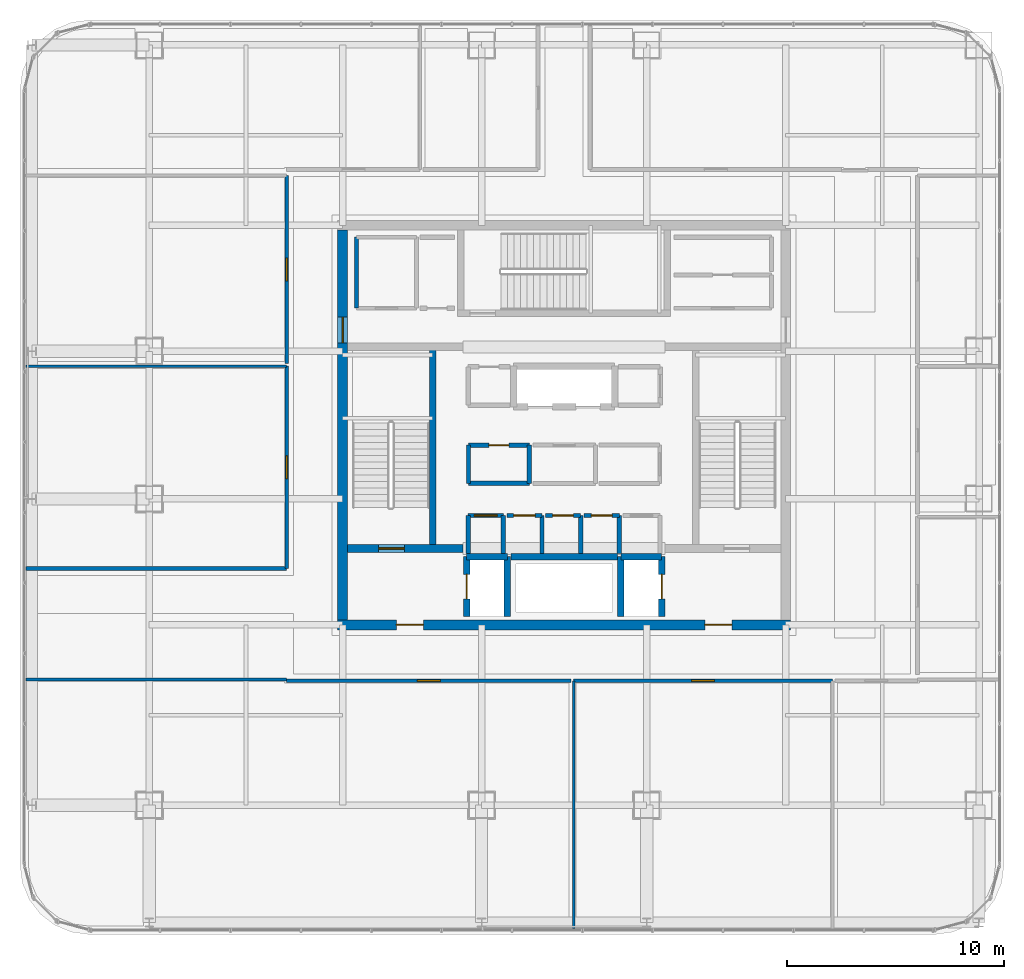
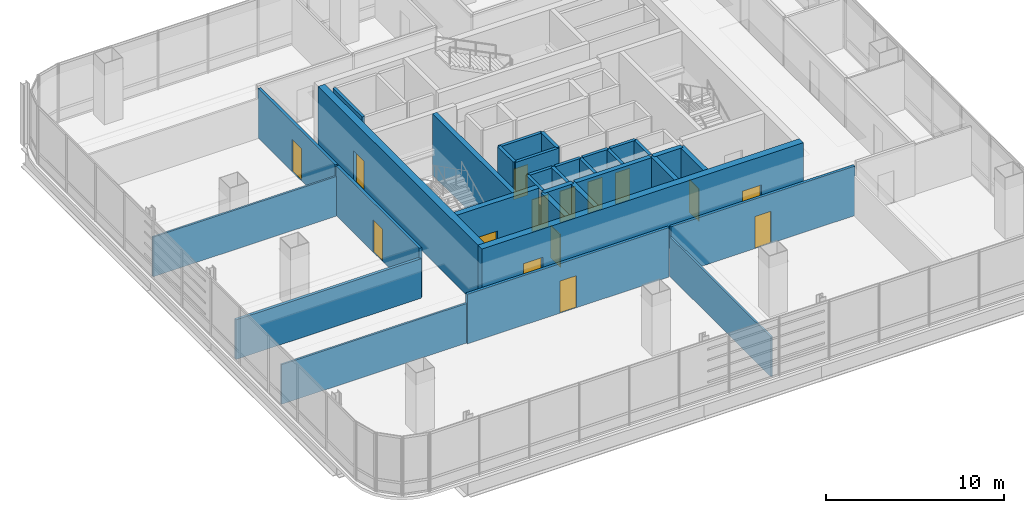
# One storey, part 35 of 43: 33 walls, 15 doors, 15 openings.
"""IFC4 building model written with IfcOpenShell, lengths in metres."""

from ifc_helpers import new_model, si_unit, direction, frame, frame_2d, origin, place, context, subcontext, project, spatial, rectangle, extrude, material, layer, layer_set, type_object, element, fill, save


model = new_model("IFC4")

# Units and contexts
model_context = context("Model", 3, precision=1e-05, world=origin(), true_north=direction((0.0, 1.0)))
body_context = subcontext(model_context, "Body", "Model", "MODEL_VIEW")
ifc_project = project(units=[si_unit("LENGTHUNIT", "METRE"), si_unit("AREAUNIT", "SQUARE_METRE"), si_unit("VOLUMEUNIT", "CUBIC_METRE"), si_unit("PLANEANGLEUNIT", "RADIAN"), si_unit("MASSUNIT", "GRAM", prefix="KILO")], contexts=[model_context])

# Site, building, storey
site_placement = place(None, origin())
site = spatial("IfcSite", under=ifc_project, at=site_placement, CompositionType="ELEMENT")
building_placement = place(site_placement, origin())
building = spatial("IfcBuilding", under=site, at=building_placement, Name="Punatoya Terracotta Tower", CompositionType="ELEMENT")
storey_placement = place(building_placement, frame((0.0, 0.0, 321.60009765625)))
storey = spatial("IfcBuildingStorey", under=building, at=storey_placement, Name="L76", CompositionType="ELEMENT", Elevation=321.60009765625)

# Wall, openings, doors
ifc_material_1 = material(Name="Concrete C50/60", Category="concrete")
ifc_layer_1 = layer(ifc_material_1, 0.449951171875)
ifc_layer_set_1 = layer_set([ifc_layer_1], Name="Concrete C50/60")
wall_type_1 = type_object("IfcWallType", Name="WL-COR-450", PredefinedType="SHEAR", material=ifc_layer_set_1)
wall_1_placement = place(storey_placement, frame((10.425048828125, -9.199951171875, 0.0), z_axis=(0.0, 0.0, 1.0), x_axis=(-1.0, 0.0, 0.0)))
wall_1 = element("IfcWall", 1, at=wall_1_placement, inside=storey, type_object=wall_type_1, Name="L76 Core Shear Wall S", PredefinedType="SHEAR", context=body_context, shape_type="SweptSolid", body=[
    extrude(rectangle(XDim=20.85009765625, YDim=0.449951171875, at=frame_2d((10.425048828125, 0.0))), origin(), (0.0, 0.0, 1.0), 4.199951171875),
])
opening_1_placement = place(wall_1_placement, frame((2.699951171875, 0.0, 0.0)))
opening_1 = element("IfcOpeningElement", 2, at=opening_1_placement, cuts=wall_1, Name="Opening FD-L1", PredefinedType="OPENING", context=body_context, shape_type="SweptSolid", body=[
    extrude(rectangle(XDim=1.25, YDim=2.25, at=frame_2d((0.625, 1.125))), frame((0.0, 0.23486328125, 0.0), z_axis=(0.0, -1.0, 0.0), x_axis=(1.0, 0.0, 0.0)), (0.0, 0.0, 1.0), 0.469970703125),
])
opening_2_placement = place(wall_1_placement, frame((16.89990234375, 0.0, 0.0)))
opening_2 = element("IfcOpeningElement", 3, at=opening_2_placement, cuts=wall_1, Name="Opening FD-L1", PredefinedType="OPENING", context=body_context, shape_type="SweptSolid", body=[
    extrude(rectangle(XDim=1.25, YDim=2.25, at=frame_2d((0.625, 1.125))), frame((0.0, 0.23486328125, 0.0), z_axis=(0.0, -1.0, 0.0), x_axis=(1.0, 0.0, 0.0)), (0.0, 0.0, 1.0), 0.469970703125),
])
ifc_material_2 = material(Name="Galvanised Steel Smokeproof Fire Door", Category="steel")
door_type_1 = type_object("IfcDoorType", Name="DR-FFL-1250", OperationType="NOTDEFINED", PredefinedType="DOOR", material=ifc_material_2)
door_1_placement = place(opening_1_placement, origin())
door_1 = element("IfcDoor", 4, at=door_1_placement, inside=storey, type_object=door_type_1, Name="L76 East Firefighting Lobby Corridor Fire Door", OperationType="SINGLE_SWING_LEFT", OverallHeight=2.25, OverallWidth=1.25, PredefinedType="DOOR", context=body_context, shape_type="SweptSolid", body=[
    extrude(rectangle(XDim=1.25, YDim=2.25, at=frame_2d((0.625, 1.125))), frame((0.0, 0.02490234375, 0.0), z_axis=(0.0, -1.0, 0.0), x_axis=(1.0, 0.0, 0.0)), (0.0, 0.0, 1.0), 0.050048828125),
])
fill(opening_1, door_1)
door_2_placement = place(opening_2_placement, origin())
door_2 = element("IfcDoor", 5, at=door_2_placement, inside=storey, type_object=door_type_1, Name="L76 West Firefighting Lobby Corridor Fire Door", OperationType="SINGLE_SWING_RIGHT", OverallHeight=2.25, OverallWidth=1.25, PredefinedType="DOOR", context=body_context, shape_type="SweptSolid", body=[
    extrude(rectangle(XDim=1.25, YDim=2.25, at=frame_2d((0.625, 1.125))), frame((0.0, 0.02490234375, 0.0), z_axis=(0.0, -1.0, 0.0), x_axis=(1.0, 0.0, 0.0)), (0.0, 0.0, 1.0), 0.050048828125),
])
fill(opening_2, door_2)

# Wall, opening, door
wall_2_placement = place(storey_placement, frame((-10.199951171875, -8.97509765625, 0.0), z_axis=(0.0, 0.0, 1.0), x_axis=(0.0, 1.0, 0.0)))
wall_2 = element("IfcWall", 6, at=wall_2_placement, inside=storey, type_object=wall_type_1, Name="L76 Core Shear Wall W", PredefinedType="SHEAR", context=body_context, shape_type="SweptSolid", body=[
    extrude(rectangle(XDim=17.9501953125, YDim=0.449951171875, at=frame_2d((8.97509765625, 0.0))), origin(), (0.0, 0.0, 1.0), 4.199951171875),
])
opening_3_placement = place(wall_2_placement, frame((12.764892578125, 0.0, 0.0)))
opening_3 = element("IfcOpeningElement", 7, at=opening_3_placement, cuts=wall_2, Name="Opening SD-01", PredefinedType="OPENING", context=body_context, shape_type="SweptSolid", body=[
    extrude(rectangle(XDim=1.179931640625, YDim=2.199951171875, at=frame_2d((0.58984375, 1.10009765625))), frame((0.0, 0.23486328125, 0.0), z_axis=(0.0, -1.0, 0.0), x_axis=(1.0, 0.0, 0.0)), (0.0, 0.0, 1.0), 0.469970703125),
])
ifc_material_3 = material(Name="Galvanised Steel Pressurized Stair Fire Door", Category="steel")
door_type_2 = type_object("IfcDoorType", Name="DR-STR-1180", OperationType="NOTDEFINED", PredefinedType="DOOR", material=ifc_material_3)
door_3_placement = place(opening_3_placement, origin())
door_3 = element("IfcDoor", 8, at=door_3_placement, inside=storey, type_object=door_type_2, Name="L76 Central Lift Lobby West Fire Door", OperationType="SINGLE_SWING_LEFT", OverallHeight=2.199951171875, OverallWidth=1.179931640625, PredefinedType="DOOR", context=body_context, shape_type="SweptSolid", body=[
    extrude(rectangle(XDim=1.179931640625, YDim=2.199951171875, at=frame_2d((0.58984375, 1.10009765625))), frame((0.0, 0.02490234375, 0.0), z_axis=(0.0, -1.0, 0.0), x_axis=(1.0, 0.0, 0.0)), (0.0, 0.0, 1.0), 0.050048828125),
])
fill(opening_3, door_3)

# Wall
ifc_material_4 = material(Name="Gypsum Fireboard + Steel Stud", Category="steel")
ifc_layer_2 = layer(ifc_material_4, 0.179931640625)
ifc_layer_set_2 = layer_set([ifc_layer_2], Name="Gypsum Fireboard + Steel Stud")
wall_type_2 = type_object("IfcWallType", Name="WL-CORR-180", PredefinedType="PARTITIONING", material=ifc_layer_set_2)
wall_3_placement = place(storey_placement, frame((-9.550048828125, 8.64990234375, 0.0), z_axis=(0.0, 0.0, 1.0), x_axis=(0.0, -1.0, 0.0)))
element("IfcWall", 9, at=wall_3_placement, inside=storey, type_object=wall_type_2, Name="L76 West Core Briefing Pod Partition 30", PredefinedType="PARTITIONING", context=body_context, shape_type="SweptSolid", body=[
    extrude(rectangle(XDim=3.27001953125, YDim=0.179931640625, at=frame_2d((1.635009765625, 0.0))), origin(), (0.0, 0.0, 1.0), 4.0),
])

# Wall, opening, door
wall_4_placement = place(storey_placement, frame((0.43798828125, -11.77001953125, 0.0), z_axis=(0.0, 0.0, 1.0), x_axis=(1.0, 0.0, 0.0)))
wall_4 = element("IfcWall", 10, at=wall_4_placement, inside=storey, type_object=wall_type_2, Name="L76 Open Workplace Studio Partition 41", PredefinedType="PARTITIONING", context=body_context, shape_type="SweptSolid", body=[
    extrude(rectangle(XDim=11.91796875, YDim=0.179931640625, at=frame_2d((5.958984375, 0.0))), origin(), (0.0, 0.0, 1.0), 3.393798828125),
])
opening_4_placement = place(wall_4_placement, frame((5.43408203125, 0.0, 0.0)))
opening_4 = element("IfcOpeningElement", 11, at=opening_4_placement, cuts=wall_4, Name="Opening OD-01", PredefinedType="OPENING", context=body_context, shape_type="SweptSolid", body=[
    extrude(rectangle(XDim=1.050048828125, YDim=2.199951171875, at=frame_2d((0.52490234375, 1.10009765625))), frame((0.0, 0.099853515625, 0.0), z_axis=(0.0, -1.0, 0.0), x_axis=(1.0, 0.0, 0.0)), (0.0, 0.0, 1.0), 0.199951171875),
])
ifc_material_5 = material(Name="Bengal Teak Solid-Core Leaf")
door_type_3 = type_object("IfcDoorType", Name="DR-OFF-1050", OperationType="NOTDEFINED", PredefinedType="DOOR", material=ifc_material_5)
door_4_placement = place(opening_4_placement, origin())
door_4 = element("IfcDoor", 12, at=door_4_placement, inside=storey, type_object=door_type_3, Name="L76 Open Workplace Studio Door", OperationType="SINGLE_SWING_RIGHT", OverallHeight=2.199951171875, OverallWidth=1.050048828125, PredefinedType="DOOR", context=body_context, shape_type="SweptSolid", body=[
    extrude(rectangle(XDim=1.050048828125, YDim=2.199951171875, at=frame_2d((0.52490234375, 1.10009765625))), frame((0.0, 0.02490234375, 0.0), z_axis=(0.0, -1.0, 0.0), x_axis=(1.0, 0.0, 0.0)), (0.0, 0.0, 1.0), 0.050048828125),
])
fill(opening_4, door_4)

wall_5_placement = place(storey_placement, frame((-12.77001953125, -11.77001953125, 0.0), z_axis=(0.0, 0.0, 1.0), x_axis=(1.0, 0.0, 0.0)))
wall_5 = element("IfcWall", 13, at=wall_5_placement, inside=storey, type_object=wall_type_2, Name="L76 Analytical Practice Office Partition 43", PredefinedType="PARTITIONING", context=body_context, shape_type="SweptSolid", body=[
    extrude(rectangle(XDim=13.088134765625, YDim=0.179931640625, at=frame_2d((6.5439453125, 0.0))), origin(), (0.0, 0.0, 1.0), 3.393798828125),
])
opening_5_placement = place(wall_5_placement, frame((6.01904296875, 0.0, 0.0)))
opening_5 = element("IfcOpeningElement", 14, at=opening_5_placement, cuts=wall_5, Name="Opening OD-01", PredefinedType="OPENING", context=body_context, shape_type="SweptSolid", body=[
    extrude(rectangle(XDim=1.050048828125, YDim=2.199951171875, at=frame_2d((0.52490234375, 1.10009765625))), frame((0.0, 0.099853515625, 0.0), z_axis=(0.0, -1.0, 0.0), x_axis=(1.0, 0.0, 0.0)), (0.0, 0.0, 1.0), 0.199951171875),
])
door_5_placement = place(opening_5_placement, origin())
door_5 = element("IfcDoor", 15, at=door_5_placement, inside=storey, type_object=door_type_3, Name="L76 Analytical Practice Office Door", OperationType="SINGLE_SWING_LEFT", OverallHeight=2.199951171875, OverallWidth=1.050048828125, PredefinedType="DOOR", context=body_context, shape_type="SweptSolid", body=[
    extrude(rectangle(XDim=1.050048828125, YDim=2.199951171875, at=frame_2d((0.52490234375, 1.10009765625))), frame((0.0, 0.02490234375, 0.0), z_axis=(0.0, -1.0, 0.0), x_axis=(1.0, 0.0, 0.0)), (0.0, 0.0, 1.0), 0.050048828125),
])
fill(opening_5, door_5)

wall_6_placement = place(storey_placement, frame((-12.77001953125, 2.7119140625, 0.0), z_axis=(0.0, 0.0, 1.0), x_axis=(0.0, -1.0, 0.0)))
wall_6 = element("IfcWall", 16, at=wall_6_placement, inside=storey, type_object=wall_type_2, Name="L76 Open-Plan Digital Reference Library Partition 49", PredefinedType="PARTITIONING", context=body_context, shape_type="SweptSolid", body=[
    extrude(rectangle(XDim=9.31201171875, YDim=0.179931640625, at=frame_2d((4.656005859375, 0.0))), origin(), (0.0, 0.0, 1.0), 3.393798828125),
])
opening_6_placement = place(wall_6_placement, frame((4.131103515625, 0.0, 0.0)))
opening_6 = element("IfcOpeningElement", 17, at=opening_6_placement, cuts=wall_6, Name="Opening OD-01", PredefinedType="OPENING", context=body_context, shape_type="SweptSolid", body=[
    extrude(rectangle(XDim=1.050048828125, YDim=2.199951171875, at=frame_2d((0.52490234375, 1.10009765625))), frame((0.0, 0.099853515625, 0.0), z_axis=(0.0, -1.0, 0.0), x_axis=(1.0, 0.0, 0.0)), (0.0, 0.0, 1.0), 0.199951171875),
])
door_6_placement = place(opening_6_placement, origin())
door_6 = element("IfcDoor", 18, at=door_6_placement, inside=storey, type_object=door_type_3, Name="L76 Open-Plan Digital Reference Library Door", OperationType="SINGLE_SWING_RIGHT", OverallHeight=2.199951171875, OverallWidth=1.050048828125, PredefinedType="DOOR", context=body_context, shape_type="SweptSolid", body=[
    extrude(rectangle(XDim=1.050048828125, YDim=2.199951171875, at=frame_2d((0.52490234375, 1.10009765625))), frame((0.0, 0.02490234375, 0.0), z_axis=(0.0, -1.0, 0.0), x_axis=(1.0, 0.0, 0.0)), (0.0, 0.0, 1.0), 0.050048828125),
])
fill(opening_6, door_6)

# Wall
wall_7_placement = place(storey_placement, frame((-12.77001953125, -6.60009765625, 0.0), z_axis=(0.0, 0.0, 1.0), x_axis=(-1.0, 0.0, 0.0)))
element("IfcWall", 19, at=wall_7_placement, inside=storey, type_object=wall_type_2, Name="L76 Open-Plan Digital Reference Library Partition 50", PredefinedType="PARTITIONING", context=body_context, shape_type="SweptSolid", body=[
    extrude(rectangle(XDim=12.0, YDim=0.179931640625, at=frame_2d((6.0, 0.0))), origin(), (0.0, 0.0, 1.0), 2.7138671875),
])

# Wall, opening, door
wall_8_placement = place(storey_placement, frame((-12.77001953125, 11.489990234375, 0.0), z_axis=(0.0, 0.0, 1.0), x_axis=(0.0, -1.0, 0.0)))
wall_8 = element("IfcWall", 20, at=wall_8_placement, inside=storey, type_object=wall_type_2, Name="L76 Open-Plan Wellness Quiet Room Partition 54", PredefinedType="PARTITIONING", context=body_context, shape_type="SweptSolid", body=[
    extrude(rectangle(XDim=8.657958984375, YDim=0.179931640625, at=frame_2d((4.3291015625, 0.0))), origin(), (0.0, 0.0, 1.0), 3.393798828125),
])
opening_7_placement = place(wall_8_placement, frame((3.803955078125, 0.0, 0.0)))
opening_7 = element("IfcOpeningElement", 21, at=opening_7_placement, cuts=wall_8, Name="Opening OD-01", PredefinedType="OPENING", context=body_context, shape_type="SweptSolid", body=[
    extrude(rectangle(XDim=1.050048828125, YDim=2.199951171875, at=frame_2d((0.52490234375, 1.10009765625))), frame((0.0, 0.099853515625, 0.0), z_axis=(0.0, -1.0, 0.0), x_axis=(1.0, 0.0, 0.0)), (0.0, 0.0, 1.0), 0.199951171875),
])
door_7_placement = place(opening_7_placement, origin())
door_7 = element("IfcDoor", 22, at=door_7_placement, inside=storey, type_object=door_type_3, Name="L76 Open-Plan Wellness Quiet Room Door", OperationType="SINGLE_SWING_RIGHT", OverallHeight=2.199951171875, OverallWidth=1.050048828125, PredefinedType="DOOR", context=body_context, shape_type="SweptSolid", body=[
    extrude(rectangle(XDim=1.050048828125, YDim=2.199951171875, at=frame_2d((0.52490234375, 1.10009765625))), frame((0.0, 0.02490234375, 0.0), z_axis=(0.0, -1.0, 0.0), x_axis=(1.0, 0.0, 0.0)), (0.0, 0.0, 1.0), 0.050048828125),
])
fill(opening_7, door_7)

# Wall
ifc_material_6 = material(Name="Concrete C40/50", Category="concrete")
ifc_layer_3 = layer(ifc_material_6, 0.199951171875)
ifc_layer_set_3 = layer_set([ifc_layer_3], Name="Concrete C40/50")
wall_type_3 = type_object("IfcWallType", Name="WL-INT-200", PredefinedType="SOLIDWALL", material=ifc_layer_set_3)
wall_9_placement = place(storey_placement, frame((-2.800048828125, -5.89990234375, 0.0), z_axis=(0.0, 0.0, 1.0), x_axis=(0.0, 1.0, 0.0)))
element("IfcWall", 23, at=wall_9_placement, inside=storey, type_object=wall_type_3, Name="L76 Core Tea Pantry Partition 01", PredefinedType="SOLIDWALL", context=body_context, shape_type="SweptSolid", body=[
    extrude(rectangle(XDim=1.739990234375, YDim=0.199951171875, at=frame_2d((0.8701171875, 0.0))), origin(), (0.0, 0.0, 1.0), 4.0),
])

# Wall, opening, door
wall_10_placement = place(storey_placement, frame((-2.800048828125, -4.159912109375, 0.0), z_axis=(0.0, 0.0, 1.0), x_axis=(-1.0, 0.0, 0.0)))
wall_10 = element("IfcWall", 24, at=wall_10_placement, inside=storey, type_object=wall_type_3, Name="L76 Core Tea Pantry Partition 02", PredefinedType="SOLIDWALL", context=body_context, shape_type="SweptSolid", body=[
    extrude(rectangle(XDim=1.619873046875, YDim=0.199951171875, at=frame_2d((0.81005859375, 0.0))), origin(), (0.0, 0.0, 1.0), 4.0),
])
opening_8_placement = place(wall_10_placement, frame((0.284912109375, 0.0, 0.0)))
opening_8 = element("IfcOpeningElement", 25, at=opening_8_placement, cuts=wall_10, Name="Opening OD-01", PredefinedType="OPENING", context=body_context, shape_type="SweptSolid", body=[
    extrude(rectangle(XDim=1.050048828125, YDim=2.199951171875, at=frame_2d((0.52490234375, 1.10009765625))), frame((0.0, 0.10986328125, 0.0), z_axis=(0.0, -1.0, 0.0), x_axis=(1.0, 0.0, 0.0)), (0.0, 0.0, 1.0), 0.219970703125),
])
door_8_placement = place(opening_8_placement, origin())
door_8 = element("IfcDoor", 26, at=door_8_placement, inside=storey, type_object=door_type_3, Name="L76 Tea Pantry Door", OperationType="SINGLE_SWING_RIGHT", OverallHeight=2.199951171875, OverallWidth=1.050048828125, PredefinedType="DOOR", context=body_context, shape_type="SweptSolid", body=[
    extrude(rectangle(XDim=1.050048828125, YDim=2.199951171875, at=frame_2d((0.52490234375, 1.10009765625))), frame((0.0, 0.02490234375, 0.0), z_axis=(0.0, -1.0, 0.0), x_axis=(1.0, 0.0, 0.0)), (0.0, 0.0, 1.0), 0.050048828125),
])
fill(opening_8, door_8)

# Walls
for number, where, z_axis, x_axis, name in (
    (27, (-4.419921875, -4.159912109375, 0.0), (0.0, 0.0, 1.0), (0.0, -1.0, 0.0), "L76 Core Tea Pantry Partition 03"),
    (28, (-1.02001953125, -5.89990234375, 0.0), (0.0, 0.0, 1.0), (0.0, 1.0, 0.0), "L76 Accessible Washroom Partition 04"),
):
    element("IfcWall", number, at=place(storey_placement, frame(where, z_axis=z_axis, x_axis=x_axis)), inside=storey, type_object=wall_type_3, Name=name, PredefinedType="SOLIDWALL", context=body_context, shape_type="SweptSolid", body=[
        extrude(rectangle(XDim=1.739990234375, YDim=0.199951171875, at=frame_2d((0.8701171875, 0.0))), origin(), (0.0, 0.0, 1.0), 4.0),
    ])

# Wall, opening, door
wall_11_placement = place(storey_placement, frame((-1.02001953125, -4.159912109375, 0.0), z_axis=(0.0, 0.0, 1.0), x_axis=(-1.0, 0.0, 0.0)))
wall_11 = element("IfcWall", 29, at=wall_11_placement, inside=storey, type_object=wall_type_3, Name="L76 Accessible Washroom Partition 05", PredefinedType="SOLIDWALL", context=body_context, shape_type="SweptSolid", body=[
    extrude(rectangle(XDim=1.619873046875, YDim=0.199951171875, at=frame_2d((0.81005859375, 0.0))), origin(), (0.0, 0.0, 1.0), 4.0),
])
opening_9_placement = place(wall_11_placement, frame((0.31005859375, 0.0, 0.0)))
opening_9 = element("IfcOpeningElement", 30, at=opening_9_placement, cuts=wall_11, Name="Opening AWD-1", PredefinedType="OPENING", context=body_context, shape_type="SweptSolid", body=[
    extrude(rectangle(XDim=1.0, YDim=2.14990234375, at=frame_2d((0.5, 1.074951171875))), frame((0.0, 0.10986328125, 0.0), z_axis=(0.0, -1.0, 0.0), x_axis=(1.0, 0.0, 0.0)), (0.0, 0.0, 1.0), 0.219970703125),
])
ifc_material_7 = material(Name="Bengal Teak Accessible WC Leaf")
door_type_4 = type_object("IfcDoorType", Name="DR-ACC-1000", OperationType="NOTDEFINED", PredefinedType="DOOR", material=ifc_material_7)
door_9_placement = place(opening_9_placement, origin())
door_9 = element("IfcDoor", 31, at=door_9_placement, inside=storey, type_object=door_type_4, Name="L76 Accessible Washroom Door", OperationType="SINGLE_SWING_LEFT", OverallHeight=2.14990234375, OverallWidth=1.0, PredefinedType="DOOR", context=body_context, shape_type="SweptSolid", body=[
    extrude(rectangle(XDim=1.0, YDim=2.14990234375, at=frame_2d((0.5, 1.074951171875))), frame((0.0, 0.02490234375, 0.0), z_axis=(0.0, -1.0, 0.0), x_axis=(1.0, 0.0, 0.0)), (0.0, 0.0, 1.0), 0.050048828125),
])
fill(opening_9, door_9)

# Wall
wall_12_placement = place(storey_placement, frame((0.760009765625, -5.89990234375, 0.0), z_axis=(0.0, 0.0, 1.0), x_axis=(0.0, 1.0, 0.0)))
element("IfcWall", 32, at=wall_12_placement, inside=storey, type_object=wall_type_3, Name="L76 Female Washroom Partition 06", PredefinedType="SOLIDWALL", context=body_context, shape_type="SweptSolid", body=[
    extrude(rectangle(XDim=1.739990234375, YDim=0.199951171875, at=frame_2d((0.8701171875, 0.0))), origin(), (0.0, 0.0, 1.0), 4.0),
])

# Wall, opening, door
wall_13_placement = place(storey_placement, frame((0.760009765625, -4.159912109375, 0.0), z_axis=(0.0, 0.0, 1.0), x_axis=(-1.0, 0.0, 0.0)))
wall_13 = element("IfcWall", 33, at=wall_13_placement, inside=storey, type_object=wall_type_3, Name="L76 Female Washroom Partition 07", PredefinedType="SOLIDWALL", context=body_context, shape_type="SweptSolid", body=[
    extrude(rectangle(XDim=1.6201171875, YDim=0.199951171875, at=frame_2d((0.81005859375, 0.0))), origin(), (0.0, 0.0, 1.0), 4.0),
])
opening_10_placement = place(wall_13_placement, frame((0.3349609375, 0.0, 0.0)))
opening_10 = element("IfcOpeningElement", 34, at=opening_10_placement, cuts=wall_13, Name="Opening WD-01", PredefinedType="OPENING", context=body_context, shape_type="SweptSolid", body=[
    extrude(rectangle(XDim=0.949951171875, YDim=2.14990234375, at=frame_2d((0.47509765625, 1.074951171875))), frame((0.0, 0.10986328125, 0.0), z_axis=(0.0, -1.0, 0.0), x_axis=(1.0, 0.0, 0.0)), (0.0, 0.0, 1.0), 0.219970703125),
])
ifc_material_8 = material(Name="Moisture-Resistant Laminate Timber Leaf", Category="wood")
door_type_5 = type_object("IfcDoorType", Name="DR-WC-950", OperationType="NOTDEFINED", PredefinedType="DOOR", material=ifc_material_8)
door_10_placement = place(opening_10_placement, origin())
door_10 = element("IfcDoor", 35, at=door_10_placement, inside=storey, type_object=door_type_5, Name="L76 Female Washroom Door", OperationType="SINGLE_SWING_RIGHT", OverallHeight=2.14990234375, OverallWidth=0.949951171875, PredefinedType="DOOR", context=body_context, shape_type="SweptSolid", body=[
    extrude(rectangle(XDim=0.949951171875, YDim=2.14990234375, at=frame_2d((0.47509765625, 1.074951171875))), frame((0.0, 0.02490234375, 0.0), z_axis=(0.0, -1.0, 0.0), x_axis=(1.0, 0.0, 0.0)), (0.0, 0.0, 1.0), 0.050048828125),
])
fill(opening_10, door_10)

# Wall
wall_14_placement = place(storey_placement, frame((2.5400390625, -5.89990234375, 0.0), z_axis=(0.0, 0.0, 1.0), x_axis=(0.0, 1.0, 0.0)))
element("IfcWall", 36, at=wall_14_placement, inside=storey, type_object=wall_type_3, Name="L76 Male Washroom Partition 08", PredefinedType="SOLIDWALL", context=body_context, shape_type="SweptSolid", body=[
    extrude(rectangle(XDim=1.739990234375, YDim=0.199951171875, at=frame_2d((0.8701171875, 0.0))), origin(), (0.0, 0.0, 1.0), 4.0),
])

# Wall, opening, door
wall_15_placement = place(storey_placement, frame((2.5400390625, -4.159912109375, 0.0), z_axis=(0.0, 0.0, 1.0), x_axis=(-1.0, 0.0, 0.0)))
wall_15 = element("IfcWall", 37, at=wall_15_placement, inside=storey, type_object=wall_type_3, Name="L76 Male Washroom Partition 09", PredefinedType="SOLIDWALL", context=body_context, shape_type="SweptSolid", body=[
    extrude(rectangle(XDim=1.6201171875, YDim=0.199951171875, at=frame_2d((0.81005859375, 0.0))), origin(), (0.0, 0.0, 1.0), 4.0),
])
opening_11_placement = place(wall_15_placement, frame((0.3349609375, 0.0, 0.0)))
opening_11 = element("IfcOpeningElement", 38, at=opening_11_placement, cuts=wall_15, Name="Opening WD-01", PredefinedType="OPENING", context=body_context, shape_type="SweptSolid", body=[
    extrude(rectangle(XDim=0.949951171875, YDim=2.14990234375, at=frame_2d((0.47509765625, 1.074951171875))), frame((0.0, 0.10986328125, 0.0), z_axis=(0.0, -1.0, 0.0), x_axis=(1.0, 0.0, 0.0)), (0.0, 0.0, 1.0), 0.219970703125),
])
door_11_placement = place(opening_11_placement, origin())
door_11 = element("IfcDoor", 39, at=door_11_placement, inside=storey, type_object=door_type_5, Name="L76 Male Washroom Door", OperationType="SINGLE_SWING_LEFT", OverallHeight=2.14990234375, OverallWidth=0.949951171875, PredefinedType="DOOR", context=body_context, shape_type="SweptSolid", body=[
    extrude(rectangle(XDim=0.949951171875, YDim=2.14990234375, at=frame_2d((0.47509765625, 1.074951171875))), frame((0.0, 0.02490234375, 0.0), z_axis=(0.0, -1.0, 0.0), x_axis=(1.0, 0.0, 0.0)), (0.0, 0.0, 1.0), 0.050048828125),
])
fill(opening_11, door_11)

# Wall
wall_16_placement = place(storey_placement, frame((-1.60009765625, -2.679931640625, 0.0), z_axis=(0.0, 0.0, 1.0), x_axis=(0.0, 1.0, 0.0)))
element("IfcWall", 40, at=wall_16_placement, inside=storey, type_object=wall_type_3, Name="L76 Left Core Store Partition 12", PredefinedType="SOLIDWALL", context=body_context, shape_type="SweptSolid", body=[
    extrude(rectangle(XDim=1.760009765625, YDim=0.199951171875, at=frame_2d((0.8798828125, 0.0))), origin(), (0.0, 0.0, 1.0), 4.0),
])

# Wall, opening, door
wall_17_placement = place(storey_placement, frame((-1.60009765625, -0.919921875, 0.0), z_axis=(0.0, 0.0, 1.0), x_axis=(-1.0, 0.0, 0.0)))
wall_17 = element("IfcWall", 41, at=wall_17_placement, inside=storey, type_object=wall_type_3, Name="L76 Left Core Store Partition 13", PredefinedType="SOLIDWALL", context=body_context, shape_type="SweptSolid", body=[
    extrude(rectangle(XDim=2.7998046875, YDim=0.199951171875, at=frame_2d((1.39990234375, 0.0))), origin(), (0.0, 0.0, 1.0), 4.0),
])
opening_12_placement = place(wall_17_placement, frame((0.93994140625, 0.0, 0.0)))
opening_12 = element("IfcOpeningElement", 42, at=opening_12_placement, cuts=wall_17, Name="Opening FD-R1", PredefinedType="OPENING", context=body_context, shape_type="SweptSolid", body=[
    extrude(rectangle(XDim=0.919921875, YDim=2.10009765625, at=frame_2d((0.4599609375, 1.050048828125))), frame((0.0, 0.10986328125, 0.0), z_axis=(0.0, -1.0, 0.0), x_axis=(1.0, 0.0, 0.0)), (0.0, 0.0, 1.0), 0.219970703125),
])
ifc_material_9 = material(Name="Galvanised Steel Riser Fire Access Door", Category="steel")
door_type_6 = type_object("IfcDoorType", Name="DR-RSR-920", OperationType="NOTDEFINED", PredefinedType="DOOR", material=ifc_material_9)
door_12_placement = place(opening_12_placement, origin())
door_12 = element("IfcDoor", 43, at=door_12_placement, inside=storey, type_object=door_type_6, Name="L76 Left Core Store Fire Door", OperationType="SINGLE_SWING_LEFT", OverallHeight=2.10009765625, OverallWidth=0.919921875, PredefinedType="DOOR", context=body_context, shape_type="SweptSolid", body=[
    extrude(rectangle(XDim=0.919921875, YDim=2.10009765625, at=frame_2d((0.4599609375, 1.050048828125))), frame((0.0, 0.02490234375, 0.0), z_axis=(0.0, -1.0, 0.0), x_axis=(1.0, 0.0, 0.0)), (0.0, 0.0, 1.0), 0.050048828125),
])
fill(opening_12, door_12)

# Walls
wall_18_placement = place(storey_placement, frame((-4.39990234375, -0.919921875, 0.0), z_axis=(0.0, 0.0, 1.0), x_axis=(0.0, -1.0, 0.0)))
element("IfcWall", 44, at=wall_18_placement, inside=storey, type_object=wall_type_3, Name="L76 Left Core Store Partition 14", PredefinedType="SOLIDWALL", context=body_context, shape_type="SweptSolid", body=[
    extrude(rectangle(XDim=1.760009765625, YDim=0.199951171875, at=frame_2d((0.8798828125, 0.0))), origin(), (0.0, 0.0, 1.0), 4.0),
])
wall_19_placement = place(storey_placement, frame((-4.39990234375, -2.679931640625, 0.0), z_axis=(0.0, 0.0, 1.0), x_axis=(1.0, 0.0, 0.0)))
element("IfcWall", 45, at=wall_19_placement, inside=storey, type_object=wall_type_3, Name="L76 Left Core Store Partition 15", PredefinedType="SOLIDWALL", context=body_context, shape_type="SweptSolid", body=[
    extrude(rectangle(XDim=2.7998046875, YDim=0.199951171875, at=frame_2d((1.39990234375, 0.0))), origin(), (0.0, 0.0, 1.0), 4.0),
])
ifc_material_10 = material(Name="Gypsum Partition + Steel Stud", Category="steel")
ifc_layer_4 = layer(ifc_material_10, 0.1201171875)
ifc_layer_set_4 = layer_set([ifc_layer_4], Name="Gypsum Partition + Steel Stud")
wall_type_4 = type_object("IfcWallType", Name="WL-OFF-120", PredefinedType="PARTITIONING", material=ifc_layer_set_4)
wall_20_placement = place(storey_placement, frame((0.43798828125, -23.169921875, 0.0), z_axis=(0.0, 0.0, 1.0), x_axis=(0.0, 1.0, 0.0)))
element("IfcWall", 46, at=wall_20_placement, inside=storey, type_object=wall_type_4, Name="L76 Open Workplace Studio Partition 40", PredefinedType="PARTITIONING", context=body_context, shape_type="SweptSolid", body=[
    extrude(rectangle(XDim=11.39990234375, YDim=0.1201171875, at=frame_2d((5.699951171875, 0.0))), origin(), (0.0, 0.0, 1.0), 2.7138671875),
])
for number, where, z_axis, x_axis, name in (
    (47, (-24.77001953125, -11.7099609375, 0.0), (0.0, 0.0, 1.0), (1.0, 0.0, 0.0), "L76 Analytical Practice Office Partition 42"),
    (48, (-24.77001953125, 2.7119140625, 0.0), (0.0, 0.0, 1.0), (1.0, 0.0, 0.0), "L76 Open-Plan Digital Reference Library Partition 48"),
):
    element("IfcWall", number, at=place(storey_placement, frame(where, z_axis=z_axis, x_axis=x_axis)), inside=storey, type_object=wall_type_4, Name=name, PredefinedType="PARTITIONING", context=body_context, shape_type="SweptSolid", body=[
        extrude(rectangle(XDim=12.0, YDim=0.1201171875, at=frame_2d((6.0, 0.0))), origin(), (0.0, 0.0, 1.0), 2.7138671875),
    ])
ifc_layer_5 = layer(ifc_material_6, 0.300048828125)
ifc_layer_set_5 = layer_set([ifc_layer_5], Name="Concrete C40/50")
wall_type_5 = type_object("IfcWallType", Name="WL-SHF-300", PredefinedType="SOLIDWALL", material=ifc_layer_set_5)
wall_21_placement = place(storey_placement, frame((-6.050048828125, -5.5, 0.0), z_axis=(0.0, 0.0, 1.0), x_axis=(0.0, 1.0, 0.0)))
element("IfcWall", 49, at=wall_21_placement, inside=storey, type_object=wall_type_5, Name="L76 Structural Stair Shaft Wall SW-ST1-E", PredefinedType="SOLIDWALL", context=body_context, shape_type="SweptSolid", body=[
    extrude(rectangle(XDim=8.949951171875, YDim=0.300048828125, at=frame_2d((4.47509765625, 0.0))), origin(), (0.0, 0.0, 1.0), 4.199951171875),
])

# Wall, opening, door
wall_22_placement = place(storey_placement, frame((-4.489990234375, -8.820068359375, 0.0), z_axis=(0.0, 0.0, 1.0), x_axis=(0.0, 1.0, 0.0)))
wall_22 = element("IfcWall", 50, at=wall_22_placement, inside=storey, type_object=wall_type_5, Name="L76 FFL-1 Front Hoistway Wall", PredefinedType="SOLIDWALL", context=body_context, shape_type="SweptSolid", body=[
    extrude(rectangle(XDim=2.77001953125, YDim=0.300048828125, at=frame_2d((1.385009765625, 0.0))), origin(), (0.0, 0.0, 1.0), 4.0),
])
opening_13_placement = place(wall_22_placement, frame((0.824951171875, 0.0, 0.0)))
opening_13 = element("IfcOpeningElement", 51, at=opening_13_placement, cuts=wall_22, Name="Opening LD-02", PredefinedType="OPENING", context=body_context, shape_type="SweptSolid", body=[
    extrude(rectangle(XDim=1.1201171875, YDim=2.25, at=frame_2d((0.56005859375, 1.125))), frame((0.0, 0.159912109375, 0.0), z_axis=(0.0, -1.0, 0.0), x_axis=(1.0, 0.0, 0.0)), (0.0, 0.0, 1.0), 0.320068359375),
])
ifc_material_11 = material(Name="Stainless Steel Lift Landing Door", Category="steel")
door_type_7 = type_object("IfcDoorType", Name="DR-LND-1120", OperationType="NOTDEFINED", PredefinedType="DOOR", material=ifc_material_11)
door_13_placement = place(opening_13_placement, origin())
door_13 = element("IfcDoor", 52, at=door_13_placement, inside=storey, type_object=door_type_7, Name="L76 Firefighting Lift FFL-1 Sliding Landing Door", OperationType="SLIDING_TO_LEFT", OverallHeight=2.25, OverallWidth=1.1201171875, PredefinedType="DOOR", context=body_context, shape_type="SweptSolid", body=[
    extrude(rectangle(XDim=1.1201171875, YDim=2.25, at=frame_2d((0.56005859375, 1.125))), frame((0.0, 0.02490234375, 0.0), z_axis=(0.0, -1.0, 0.0), x_axis=(1.0, 0.0, 0.0)), (0.0, 0.0, 1.0), 0.050048828125),
])
fill(opening_13, door_13)

# Walls
wall_23_placement = place(storey_placement, frame((-2.610107421875, -8.820068359375, 0.0), z_axis=(0.0, 0.0, 1.0), x_axis=(0.0, 1.0, 0.0)))
element("IfcWall", 53, at=wall_23_placement, inside=storey, type_object=wall_type_5, Name="L76 FFL-1 Rear Hoistway Wall", PredefinedType="SOLIDWALL", context=body_context, shape_type="SweptSolid", body=[
    extrude(rectangle(XDim=2.77001953125, YDim=0.300048828125, at=frame_2d((1.385009765625, 0.0))), origin(), (0.0, 0.0, 1.0), 4.0),
])
wall_24_placement = place(storey_placement, frame((-4.489990234375, -6.050048828125, 0.0), z_axis=(0.0, 0.0, 1.0), x_axis=(1.0, 0.0, 0.0)))
element("IfcWall", 54, at=wall_24_placement, inside=storey, type_object=wall_type_5, Name="L76 FFL-1 North Hoistway Wall", PredefinedType="SOLIDWALL", context=body_context, shape_type="SweptSolid", body=[
    extrude(rectangle(XDim=1.8798828125, YDim=0.300048828125, at=frame_2d((0.93994140625, 0.0))), origin(), (0.0, 0.0, 1.0), 4.0),
])

# Wall, opening, door
wall_25_placement = place(storey_placement, frame((4.489990234375, -8.820068359375, 0.0), z_axis=(0.0, 0.0, 1.0), x_axis=(0.0, 1.0, 0.0)))
wall_25 = element("IfcWall", 55, at=wall_25_placement, inside=storey, type_object=wall_type_5, Name="L76 FFL-2 Front Hoistway Wall", PredefinedType="SOLIDWALL", context=body_context, shape_type="SweptSolid", body=[
    extrude(rectangle(XDim=2.77001953125, YDim=0.300048828125, at=frame_2d((1.385009765625, 0.0))), origin(), (0.0, 0.0, 1.0), 4.0),
])
opening_14_placement = place(wall_25_placement, frame((0.824951171875, 0.0, 0.0)))
opening_14 = element("IfcOpeningElement", 56, at=opening_14_placement, cuts=wall_25, Name="Opening LD-02", PredefinedType="OPENING", context=body_context, shape_type="SweptSolid", body=[
    extrude(rectangle(XDim=1.1201171875, YDim=2.25, at=frame_2d((0.56005859375, 1.125))), frame((0.0, 0.159912109375, 0.0), z_axis=(0.0, -1.0, 0.0), x_axis=(1.0, 0.0, 0.0)), (0.0, 0.0, 1.0), 0.320068359375),
])
door_14_placement = place(opening_14_placement, origin())
door_14 = element("IfcDoor", 57, at=door_14_placement, inside=storey, type_object=door_type_7, Name="L76 Firefighting Lift FFL-2 Sliding Landing Door", OperationType="SLIDING_TO_RIGHT", OverallHeight=2.25, OverallWidth=1.1201171875, PredefinedType="DOOR", context=body_context, shape_type="SweptSolid", body=[
    extrude(rectangle(XDim=1.1201171875, YDim=2.25, at=frame_2d((0.56005859375, 1.125))), frame((0.0, 0.02490234375, 0.0), z_axis=(0.0, -1.0, 0.0), x_axis=(1.0, 0.0, 0.0)), (0.0, 0.0, 1.0), 0.050048828125),
])
fill(opening_14, door_14)

# Walls
wall_26_placement = place(storey_placement, frame((2.610107421875, -8.820068359375, 0.0), z_axis=(0.0, 0.0, 1.0), x_axis=(0.0, 1.0, 0.0)))
element("IfcWall", 58, at=wall_26_placement, inside=storey, type_object=wall_type_5, Name="L76 FFL-2 Rear Hoistway Wall", PredefinedType="SOLIDWALL", context=body_context, shape_type="SweptSolid", body=[
    extrude(rectangle(XDim=2.77001953125, YDim=0.300048828125, at=frame_2d((1.385009765625, 0.0))), origin(), (0.0, 0.0, 1.0), 4.0),
])
wall_27_placement = place(storey_placement, frame((2.610107421875, -6.050048828125, 0.0), z_axis=(0.0, 0.0, 1.0), x_axis=(1.0, 0.0, 0.0)))
element("IfcWall", 59, at=wall_27_placement, inside=storey, type_object=wall_type_5, Name="L76 FFL-2 North Hoistway Wall", PredefinedType="SOLIDWALL", context=body_context, shape_type="SweptSolid", body=[
    extrude(rectangle(XDim=1.8798828125, YDim=0.300048828125, at=frame_2d((0.93994140625, 0.0))), origin(), (0.0, 0.0, 1.0), 4.0),
])
wall_28_placement = place(storey_placement, frame((-2.449951171875, -6.050048828125, 0.0), z_axis=(0.0, 0.0, 1.0), x_axis=(1.0, 0.0, 0.0)))
element("IfcWall", 60, at=wall_28_placement, inside=storey, type_object=wall_type_5, Name="L76 Observation Shuttle Rear Hoistway Wall", PredefinedType="SOLIDWALL", context=body_context, shape_type="SweptSolid", body=[
    extrude(rectangle(XDim=4.89990234375, YDim=0.300048828125, at=frame_2d((2.449951171875, 0.0))), origin(), (0.0, 0.0, 1.0), 4.0),
])

# Wall, opening, door
ifc_layer_6 = layer(ifc_material_1, 0.35009765625)
ifc_layer_set_6 = layer_set([ifc_layer_6], Name="Concrete C50/60")
wall_type_6 = type_object("IfcWallType", Name="WL-SHF-350", PredefinedType="SOLIDWALL", material=ifc_layer_set_6)
wall_29_placement = place(storey_placement, frame((-9.97509765625, -5.679931640625, 0.0), z_axis=(0.0, 0.0, 1.0), x_axis=(1.0, 0.0, 0.0)))
wall_29 = element("IfcWall", 61, at=wall_29_placement, inside=storey, type_object=wall_type_6, Name="L76 Core Web Wall CSW-L", PredefinedType="SOLIDWALL", context=body_context, shape_type="SweptSolid", body=[
    extrude(rectangle(XDim=5.3251953125, YDim=0.35009765625, at=frame_2d((2.66259765625, 0.0))), origin(), (0.0, 0.0, 1.0), 4.199951171875),
])
opening_15_placement = place(wall_29_placement, frame((1.43505859375, 0.0, 0.0)))
opening_15 = element("IfcOpeningElement", 62, at=opening_15_placement, cuts=wall_29, Name="Opening SD-01", PredefinedType="OPENING", context=body_context, shape_type="SweptSolid", body=[
    extrude(rectangle(XDim=1.179931640625, YDim=2.199951171875, at=frame_2d((0.58984375, 1.10009765625))), frame((0.0, 0.18505859375, 0.0), z_axis=(0.0, -1.0, 0.0), x_axis=(1.0, 0.0, 0.0)), (0.0, 0.0, 1.0), 0.3701171875),
])
door_15_placement = place(opening_15_placement, origin())
door_15 = element("IfcDoor", 63, at=door_15_placement, inside=storey, type_object=door_type_2, Name="L76 Stair ST-1 Smokeproof Lobby Fire Door", OperationType="SINGLE_SWING_LEFT", OverallHeight=2.199951171875, OverallWidth=1.179931640625, PredefinedType="DOOR", context=body_context, shape_type="SweptSolid", body=[
    extrude(rectangle(XDim=1.179931640625, YDim=2.199951171875, at=frame_2d((0.58984375, 1.10009765625))), frame((0.0, 0.02490234375, 0.0), z_axis=(0.0, -1.0, 0.0), x_axis=(1.0, 0.0, 0.0)), (0.0, 0.0, 1.0), 0.050048828125),
])
fill(opening_15, door_15)

save(model, "model.ifc")
